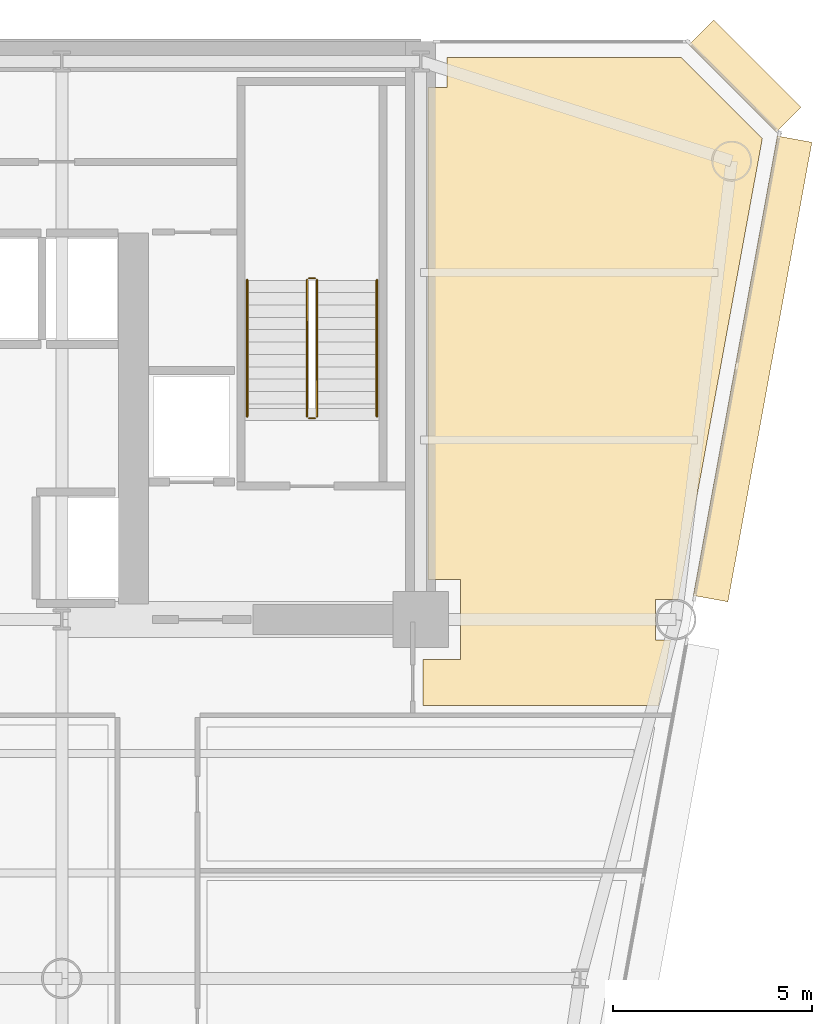
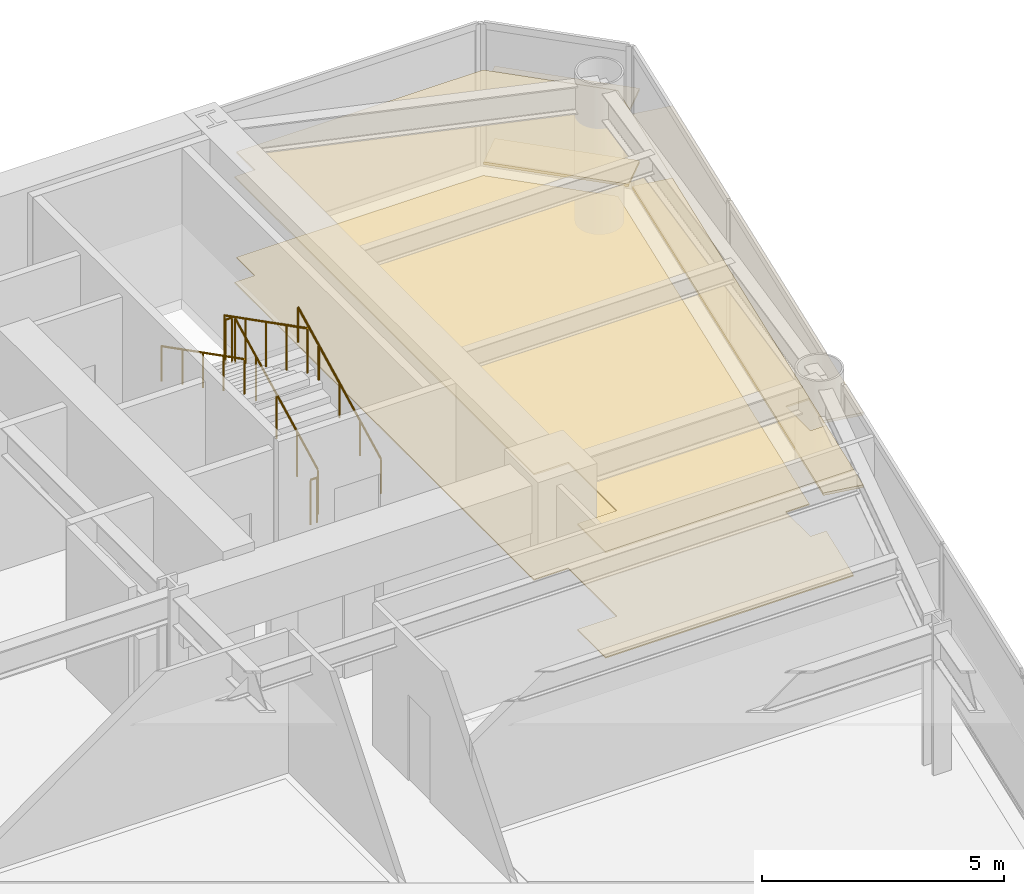
# One storey, part 14 of 14: 6 coverings, 6 railings.
"""IFC4 building model written with IfcOpenShell, lengths in metres."""

from ifc_helpers import new_model, si_unit, direction, frame, origin, origin_2d, place, context, subcontext, project, spatial, polyline, rectangle, circle, outline, extrude, source, transform, mapped, material, layer, layer_set, type_object, element, save


model = new_model("IFC4")

# Units and contexts
model_context = context("Model", 3, precision=1e-05, world=origin(), true_north=direction((0.0, 1.0)))
body_context = subcontext(model_context, "Body", "Model", "MODEL_VIEW")
ifc_project = project(units=[si_unit("LENGTHUNIT", "METRE"), si_unit("AREAUNIT", "SQUARE_METRE"), si_unit("VOLUMEUNIT", "CUBIC_METRE"), si_unit("PLANEANGLEUNIT", "RADIAN"), si_unit("MASSUNIT", "GRAM", prefix="KILO")], contexts=[model_context])

# Site, building, storey
site_placement = place(None, origin())
site = spatial("IfcSite", under=ifc_project, at=site_placement, CompositionType="ELEMENT")
building_placement = place(site_placement, origin())
building = spatial("IfcBuilding", under=site, at=building_placement, Name="Vaeldorn Concourse Tower", CompositionType="ELEMENT")
storey_placement = place(building_placement, frame((0.0, 0.0, 88.199951171875)))
storey = spatial("IfcBuildingStorey", under=building, at=storey_placement, Name="L22", CompositionType="ELEMENT", Elevation=88.199951171875)

# Coverings
ifc_material_1 = material(Name="Acoustic Mineral Fibre Board", Category="gypsum")
ifc_layer_1 = layer(ifc_material_1, 0.0400390625)
ifc_layer_set_1 = layer_set([ifc_layer_1], Name="Acoustic Mineral Fibre Board")
covering_type_1 = type_object("IfcCoveringType", Name="COV-CEIL-ACOUSTIC", PredefinedType="CEILING", material=ifc_layer_set_1)
covering_1_placement = place(storey_placement, frame((0.0, 0.0, 2.650146484375)))
element("IfcCovering", 1, at=covering_1_placement, inside=storey, type_object=covering_type_1, Name="Suspended Acoustic Ceiling L22-4", PredefinedType="CEILING", context=body_context, shape_type="SweptSolid", body=[
    extrude(outline(polyline([(54.179931640625, 49.840087890625), (54.659912109375, 49.840087890625), (54.659912109375, 50.60009765625), (60.5341796875, 50.60009765625), (62.56884765625, 48.5654296875), (60.513916015625, 37.320068359375), (60.513916015625, 37.320068359375), (60.456787109375, 37.008056640625), (59.89208984375, 37.008056640625), (59.89208984375, 35.991943359375), (60.271240234375, 35.991943359375), (59.969482421875, 34.340087890625), (54.06005859375, 34.340087890625), (54.06005859375, 35.5), (55.0, 35.5), (55.0, 37.5), (54.179931640625, 37.5), (54.179931640625, 49.840087890625)])), origin(), (0.0, 0.0, 1.0), 0.039794921875),
])
ifc_material_2 = material(Name="Honed Limestone Terrazzo Flooring", Category="masonry")
ifc_layer_2 = layer(ifc_material_2, 0.0400390625)
ifc_layer_set_2 = layer_set([ifc_layer_2], Name="Honed Limestone Terrazzo Flooring")
covering_type_2 = type_object("IfcCoveringType", Name="COV-FLOOR-STONE", PredefinedType="FLOORING", material=ifc_layer_set_2)
covering_2_placement = place(storey_placement, origin())
element("IfcCovering", 2, at=covering_2_placement, inside=storey, type_object=covering_type_2, Name="Floor Finish Covering L22-4", PredefinedType="FLOORING", context=body_context, shape_type="SweptSolid", body=[
    extrude(outline(polyline([(54.179931640625, 49.840087890625), (54.659912109375, 49.840087890625), (54.659912109375, 50.60009765625), (60.5341796875, 50.60009765625), (62.56884765625, 48.5654296875), (60.513916015625, 37.320068359375), (60.513916015625, 37.320068359375), (60.456787109375, 37.008056640625), (59.89208984375, 37.008056640625), (59.89208984375, 35.991943359375), (60.271240234375, 35.991943359375), (59.969482421875, 34.340087890625), (54.06005859375, 34.340087890625), (54.06005859375, 35.5), (55.0, 35.5), (55.0, 37.5), (54.179931640625, 37.5), (54.179931640625, 49.840087890625)])), origin(), (0.0, 0.0, 1.0), 0.030029296875),
])

# Railings
ifc_material_3 = material(Name="Anodised Bronze Aluminium", Category="aluminium")
railing_type_1 = type_object("IfcRailingType", Name="RL-STAIR-GUARD", PredefinedType="GUARDRAIL", material=ifc_material_3)
railing_1_placement = place(storey_placement, frame((51.39990234375, 41.60009765625, 0.158447265625)))
element("IfcRailing", 3, at=railing_1_placement, inside=storey, type_object=railing_type_1, Name="L22 ST-2 stair guard 1", PredefinedType="GUARDRAIL", context=body_context, shape_type="SweptSolid", body=[
    extrude(circle(Radius=0.02392578125, at=origin_2d()), frame((0.0, 0.0, 1.1259765625), z_axis=(0.0, 0.890555807335, 0.454873997962), x_axis=(-1.0, 0.0, 0.0)), (0.0, 0.0, 1.0), 3.828857421875),
    extrude(circle(Radius=0.02099609375, at=origin_2d()), origin(), (0.0, 0.0, 1.0), 1.101806640625),
    extrude(circle(Radius=0.02099609375, at=origin_2d()), frame((0.0, 0.8525390625, 0.435546875)), (0.0, 0.0, 1.0), 1.101806640625),
    extrude(circle(Radius=0.02099609375, at=origin_2d()), frame((0.0, 1.705078125, 0.870849609375)), (0.0, 0.0, 1.0), 1.101806640625),
    extrude(circle(Radius=0.02099609375, at=origin_2d()), frame((0.0, 2.557373046875, 1.30615234375)), (0.0, 0.0, 1.0), 1.101806640625),
    extrude(circle(Radius=0.02099609375, at=origin_2d()), frame((0.0, 3.409912109375, 1.74169921875)), (0.0, 0.0, 1.0), 1.101806640625),
])
railing_2_placement = place(storey_placement, frame((51.35009765625, 45.06005859375, 1.900146484375)))
element("IfcRailing", 4, at=railing_2_placement, inside=storey, type_object=railing_type_1, Name="L22 ST-2 stair guard 2", PredefinedType="GUARDRAIL", context=body_context, shape_type="SweptSolid", body=[
    extrude(circle(Radius=0.02392578125, at=origin_2d()), frame((0.0, 0.0, 1.1259765625), z_axis=(-1.0, 0.0, 0.0), x_axis=(0.0, -1.0, 0.0)), (0.0, 0.0, 1.0), 0.150146484375),
    extrude(circle(Radius=0.02099609375, at=origin_2d()), origin(), (0.0, 0.0, 1.0), 1.101806640625),
    extrude(circle(Radius=0.02099609375, at=origin_2d()), frame((-0.150146484375, 0.0, 0.0)), (0.0, 0.0, 1.0), 1.101806640625),
])
railing_3_placement = place(storey_placement, frame((51.14990234375, 45.010009765625, 2.058349609375)))
element("IfcRailing", 5, at=railing_3_placement, inside=storey, type_object=railing_type_1, Name="L22 ST-2 stair guard 3", PredefinedType="GUARDRAIL", context=body_context, shape_type="SweptSolid", body=[
    extrude(circle(Radius=0.02392578125, at=origin_2d()), frame((0.0, 0.0, 1.1259765625), z_axis=(0.0, -0.890555807335, 0.454873997962), x_axis=(1.0, 0.0, 0.0)), (0.0, 0.0, 1.0), 3.828857421875),
    extrude(circle(Radius=0.02099609375, at=origin_2d()), origin(), (0.0, 0.0, 1.0), 1.101806640625),
    extrude(circle(Radius=0.02099609375, at=origin_2d()), frame((0.0, -0.8525390625, 0.435546875)), (0.0, 0.0, 1.0), 1.101806640625),
    extrude(circle(Radius=0.02099609375, at=origin_2d()), frame((0.0, -1.705078125, 0.870849609375)), (0.0, 0.0, 1.0), 1.101806640625),
    extrude(circle(Radius=0.02099609375, at=origin_2d()), frame((0.0, -2.557373046875, 1.30615234375)), (0.0, 0.0, 1.0), 1.101806640625),
    extrude(circle(Radius=0.02099609375, at=origin_2d()), frame((0.0, -3.409912109375, 1.74169921875)), (0.0, 0.0, 1.0), 1.101806640625),
])
railing_4_placement = place(storey_placement, frame((51.35009765625, 41.550048828125, 0.0)))
element("IfcRailing", 6, at=railing_4_placement, inside=storey, type_object=railing_type_1, Name="L22 ST-2 stair guard 4", PredefinedType="GUARDRAIL", context=body_context, shape_type="SweptSolid", body=[
    extrude(circle(Radius=0.02392578125, at=origin_2d()), frame((0.0, 0.0, 1.1259765625), z_axis=(-1.0, 0.0, 0.0), x_axis=(0.0, -1.0, 0.0)), (0.0, 0.0, 1.0), 0.150146484375),
    extrude(circle(Radius=0.02099609375, at=origin_2d()), origin(), (0.0, 0.0, 1.0), 1.101806640625),
    extrude(circle(Radius=0.02099609375, at=origin_2d()), frame((-0.150146484375, 0.0, 0.0)), (0.0, 0.0, 1.0), 1.101806640625),
])
railing_type_2 = type_object("IfcRailingType", Name="RL-STAIR-HANDRAIL", PredefinedType="HANDRAIL", material=ifc_material_3)
railing_5_placement = place(storey_placement, frame((52.89990234375, 41.60009765625, 0.158447265625)))
element("IfcRailing", 7, at=railing_5_placement, inside=storey, type_object=railing_type_2, Name="L22 ST-2 stair handrail 1", PredefinedType="HANDRAIL", context=body_context, shape_type="SweptSolid", body=[
    extrude(circle(Radius=0.02392578125, at=origin_2d()), frame((0.0, 0.0, 0.8759765625), z_axis=(0.0, 0.890555807335, 0.454873997962), x_axis=(-1.0, 0.0, 0.0)), (0.0, 0.0, 1.0), 3.828857421875),
    extrude(circle(Radius=0.02099609375, at=origin_2d()), origin(), (0.0, 0.0, 1.0), 0.851806640625),
    extrude(circle(Radius=0.02099609375, at=origin_2d()), frame((0.0, 0.8525390625, 0.435546875)), (0.0, 0.0, 1.0), 0.851806640625),
    extrude(circle(Radius=0.02099609375, at=origin_2d()), frame((0.0, 1.705078125, 0.870849609375)), (0.0, 0.0, 1.0), 0.851806640625),
    extrude(circle(Radius=0.02099609375, at=origin_2d()), frame((0.0, 2.557373046875, 1.30615234375)), (0.0, 0.0, 1.0), 0.851806640625),
    extrude(circle(Radius=0.02099609375, at=origin_2d()), frame((0.0, 3.409912109375, 1.74169921875)), (0.0, 0.0, 1.0), 0.851806640625),
])
railing_6_placement = place(storey_placement, frame((49.64990234375, 45.010009765625, 2.058349609375)))
element("IfcRailing", 8, at=railing_6_placement, inside=storey, type_object=railing_type_2, Name="L22 ST-2 stair handrail 2", PredefinedType="HANDRAIL", context=body_context, shape_type="SweptSolid", body=[
    extrude(circle(Radius=0.02392578125, at=origin_2d()), frame((0.0, 0.0, 0.8759765625), z_axis=(0.0, -0.890555807335, 0.454873997962), x_axis=(1.0, 0.0, 0.0)), (0.0, 0.0, 1.0), 3.828857421875),
    extrude(circle(Radius=0.02099609375, at=origin_2d()), origin(), (0.0, 0.0, 1.0), 0.851806640625),
    extrude(circle(Radius=0.02099609375, at=origin_2d()), frame((0.0, -0.8525390625, 0.435546875)), (0.0, 0.0, 1.0), 0.851806640625),
    extrude(circle(Radius=0.02099609375, at=origin_2d()), frame((0.0, -1.705078125, 0.870849609375)), (0.0, 0.0, 1.0), 0.851806640625),
    extrude(circle(Radius=0.02099609375, at=origin_2d()), frame((0.0, -2.557373046875, 1.30615234375)), (0.0, 0.0, 1.0), 0.851806640625),
    extrude(circle(Radius=0.02099609375, at=origin_2d()), frame((0.0, -3.409912109375, 1.74169921875)), (0.0, 0.0, 1.0), 0.851806640625),
])

# Coverings
ifc_layer_3 = layer(ifc_material_3, 0.06494140625)
ifc_layer_set_3 = layer_set([ifc_layer_3], Name="Anodised Bronze Aluminium")
covering_type_3 = type_object("IfcCoveringType", Name="SD-BRONZE-SUNSHADE", PredefinedType="USERDEFINED", material=ifc_layer_set_3)
shared_shape_1 = source(origin(), body_context, "Body", "SweptSolid", [
    extrude(rectangle(XDim=3.0927734375, YDim=0.8798828125, at=origin_2d()), origin(), (0.0, 0.0, 1.0), 0.06494140625),
])
for number, where, z_axis, x_axis, name in (
    (9, (62.1328125, 50.1328125, 0.047607421875), (0.0, 0.0, 1.0), (-0.707106781187, 0.707106781187, 0.0), "Horizontal Bronze Sunshade L22-E08.1.1"),
    (10, (62.1328125, 50.1328125, 1.86767578125), (0.0, 0.0, 1.0), (-0.707106781187, 0.707106781187, 0.0), "Horizontal Bronze Sunshade L22-E08.1.2"),
):
    element("IfcCovering", number, at=place(storey_placement, frame(where, z_axis=z_axis, x_axis=x_axis)), inside=storey, type_object=covering_type_3, Name=name, ObjectType="SUNSHADE", PredefinedType="USERDEFINED", context=body_context, shape_type="MappedRepresentation", body=[
        mapped(shared_shape_1, transform((0.0, 0.0, 0.0), scale=1.0)),
    ])
shared_shape_2 = source(origin(), body_context, "Body", "SweptSolid", [
    extrude(rectangle(XDim=11.71533203125, YDim=0.8798828125, at=origin_2d()), origin(), (0.0, 0.0, 1.0), 0.06494140625),
])
for number, where, z_axis, x_axis, name in (
    (11, (62.326171875, 42.787109375, 0.047607421875), (0.0, 0.0, 1.0), (0.179746594427, 0.983712946846, 0.0), "Horizontal Bronze Sunshade L22-E07.2.1"),
    (12, (62.326171875, 42.787109375, 1.86767578125), (0.0, 0.0, 1.0), (0.179746594427, 0.983712946846, 0.0), "Horizontal Bronze Sunshade L22-E07.2.2"),
):
    element("IfcCovering", number, at=place(storey_placement, frame(where, z_axis=z_axis, x_axis=x_axis)), inside=storey, type_object=covering_type_3, Name=name, ObjectType="SUNSHADE", PredefinedType="USERDEFINED", context=body_context, shape_type="MappedRepresentation", body=[
        mapped(shared_shape_2, transform((0.0, 0.0, 0.0), scale=1.0)),
    ])

save(model, "model.ifc")
